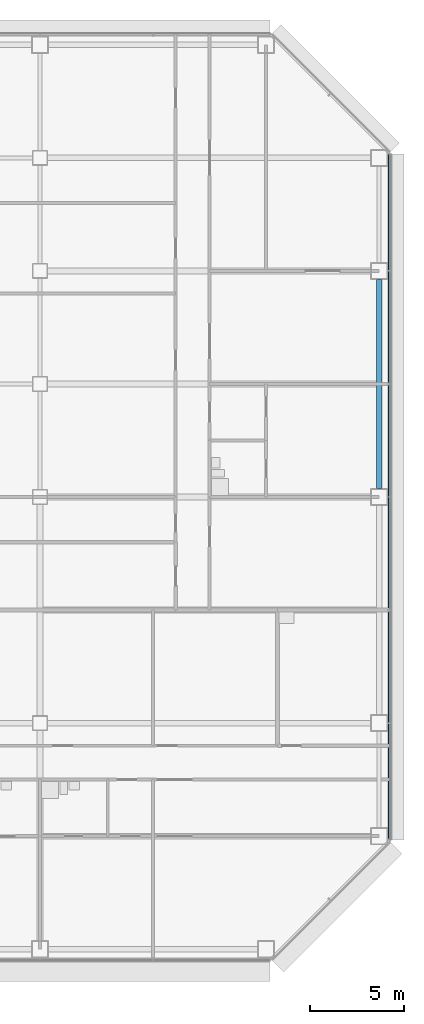
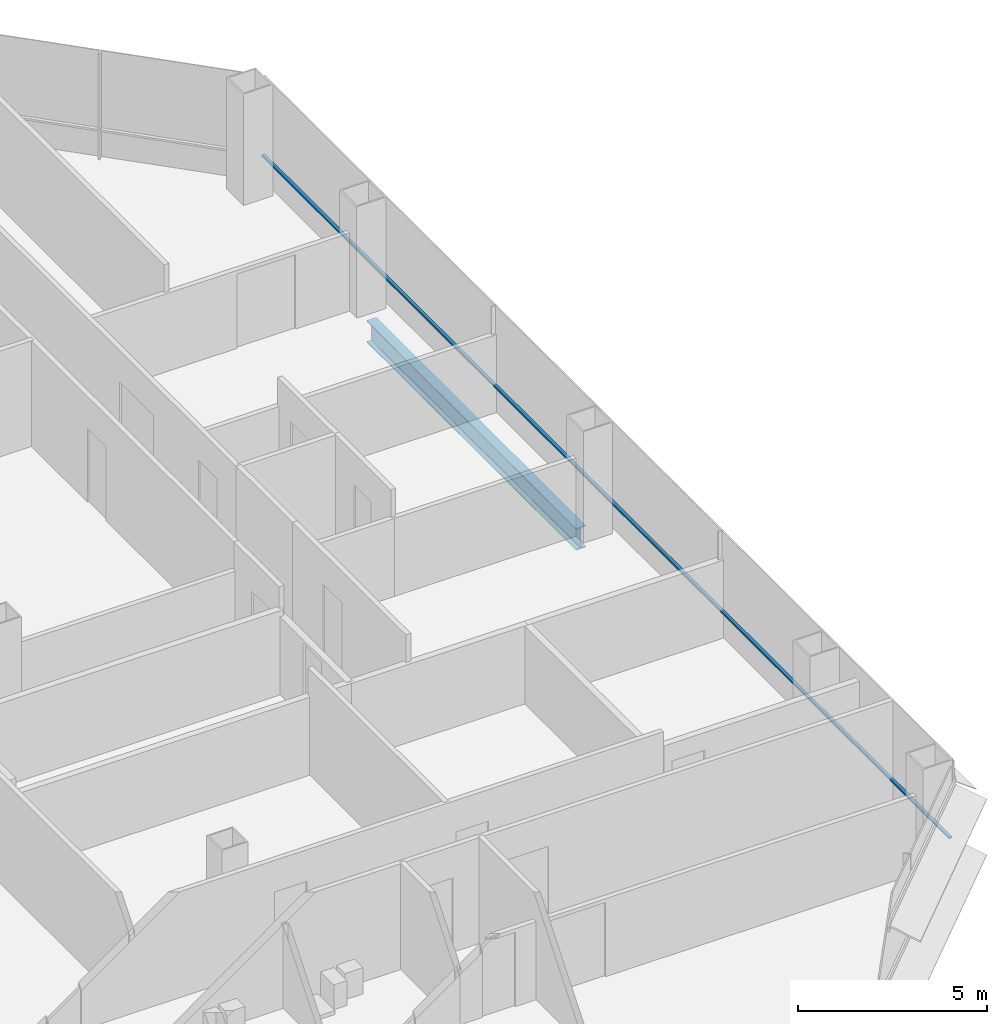
# One storey, part 17 of 27: 1 beam, 1 member, 1 element without a shape of its own.
"""IFC4 building model written with IfcOpenShell, lengths in metres."""

from ifc_helpers import new_model, si_unit, direction, frame, origin, origin_2d, place, context, subcontext, project, spatial, rectangle, i_section, extrude, material, material_profile, profile_set, type_object, element, aggregate, save


model = new_model("IFC4")

# Units and contexts
model_context = context("Model", 3, precision=1e-05, world=origin(), true_north=direction((0.0, 1.0)))
body_context = subcontext(model_context, "Body", "Model", "MODEL_VIEW")
ifc_project = project(units=[si_unit("LENGTHUNIT", "METRE"), si_unit("AREAUNIT", "SQUARE_METRE"), si_unit("VOLUMEUNIT", "CUBIC_METRE"), si_unit("PLANEANGLEUNIT", "RADIAN"), si_unit("MASSUNIT", "GRAM", prefix="KILO")], contexts=[model_context])

# Site, building, storey
site_placement = place(None, origin())
site = spatial("IfcSite", under=ifc_project, at=site_placement, CompositionType="ELEMENT")
building_placement = place(site_placement, origin())
building = spatial("IfcBuilding", under=site, at=building_placement, Name="Sorahane Residences", CompositionType="ELEMENT")
storey_placement = place(building_placement, frame((0.0, 0.0, 53.39990234375)))
storey = spatial("IfcBuildingStorey", under=building, at=storey_placement, Name="L09", CompositionType="ELEMENT", Elevation=53.39990234375)

# Curtain wall, member
ifc_material_1 = material(Name="Dark low-e glass and black anodised aluminium", Category="aluminium")
curtain_wall_type = type_object("IfcCurtainWallType", Name="Curtain wall CW-1 Typical unitised wall", PredefinedType="NOTDEFINED", material=ifc_material_1)
curtain_wall_placement = place(storey_placement, origin())
curtain_wall = element("IfcCurtainWall", 1, at=curtain_wall_placement, inside=storey, type_object=curtain_wall_type, Name="CW-1 curtain wall L09 E1", PredefinedType="NOTDEFINED")
ifc_material_2 = material(Name="Black anodised aluminium", Category="aluminium")
ifc_material_profile_1 = material_profile(ifc_material_2, rectangle(XDim=0.10009765625, YDim=0.06005859375, at=origin_2d()), Name="Curtain wall transom CW-1 black anodised aluminium 60x100")
ifc_profile_set_1 = profile_set([ifc_material_profile_1], Name="Black anodised aluminium")
member_type = type_object("IfcMemberType", Name="Curtain wall transom CW-1 black anodised aluminium 60x100", PredefinedType="USERDEFINED", material=ifc_profile_set_1)
member_placement = place(storey_placement, frame((66.530029296875, 5.801513671875, 0.900146484375), z_axis=(0.0, 1.0, 0.0), x_axis=(-1.0, 0.0, 0.0)))
member = element("IfcMember", 2, at=member_placement, type_object=member_type, Name="CW-1 transom L09 E1", ObjectType="TRANSOM", PredefinedType="USERDEFINED", context=body_context, shape_type="SweptSolid", body=[
    extrude(rectangle(XDim=0.10009765625, YDim=0.06005859375, at=origin_2d()), origin(), (0.0, 0.0, 1.0), 36.39697265625),
])
aggregate(curtain_wall, [member])

# Beam
ifc_material_3 = material(Name="Steel Q355B", Category="steel")
ifc_material_profile_2 = material_profile(ifc_material_3, i_section(OverallWidth=0.300048828125, OverallDepth=0.699951171875, WebThickness=0.012939453125, FlangeThickness=0.02392578125, FilletRadius=0.028076171875, at=origin_2d()), Name="HN 700x300x13x24")
ifc_profile_set_2 = profile_set([ifc_material_profile_2], Name="Steel Q355B")
beam_type = type_object("IfcBeamType", Name="Steel floor beam HN 700x300x13x24 Q355B", PredefinedType="BEAM", material=ifc_profile_set_2)
beam_placement = place(storey_placement, frame((66.0, 24.449951171875, -0.52978515625), z_axis=(0.0, 1.0, 0.0), x_axis=(-1.0, 0.0, 0.0)))
element("IfcBeam", 3, at=beam_placement, inside=storey, type_object=beam_type, Name="Beam L09 059", PredefinedType="BEAM", context=body_context, shape_type="SweptSolid", body=[
    extrude(i_section(OverallWidth=0.300048828125, OverallDepth=0.699951171875, WebThickness=0.012939453125, FlangeThickness=0.02392578125, FilletRadius=0.028076171875, at=origin_2d()), origin(), (0.0, 0.0, 1.0), 11.10009765625),
])

save(model, "model.ifc")
